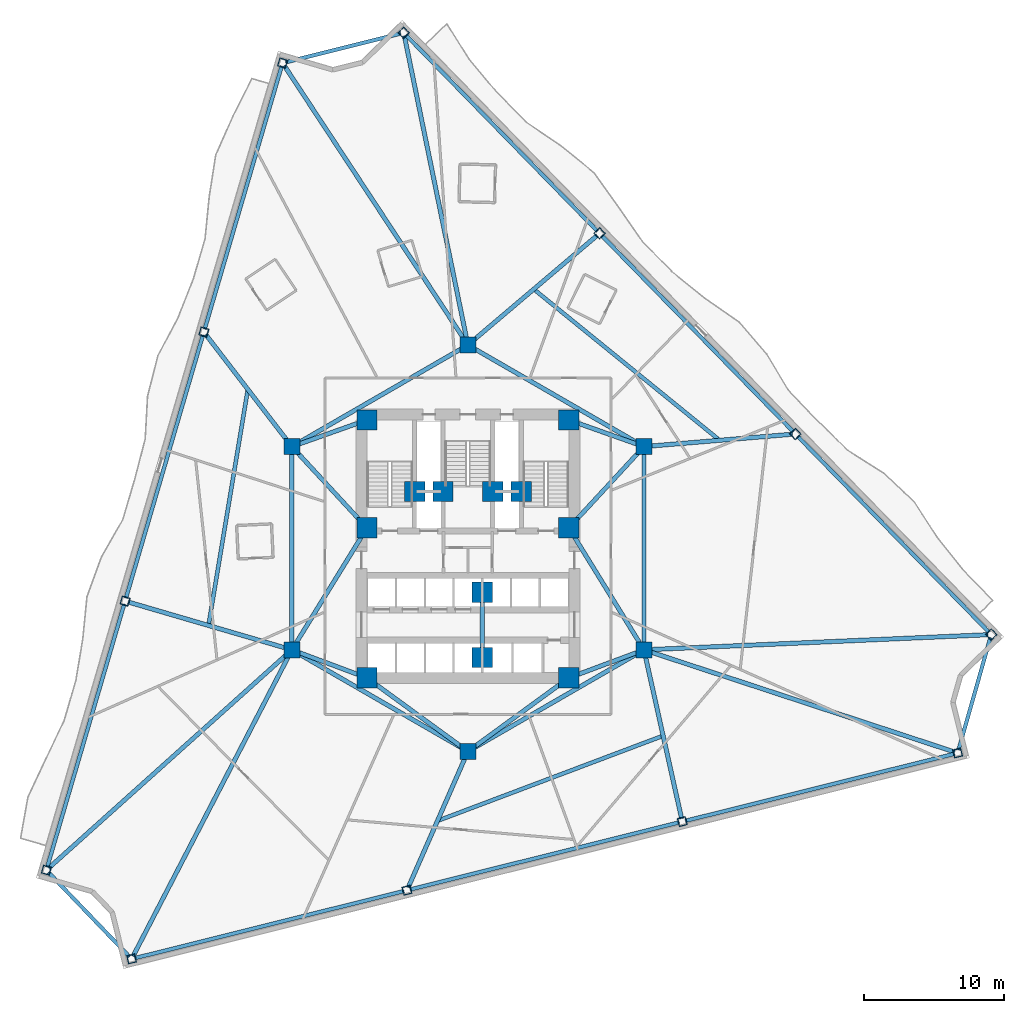
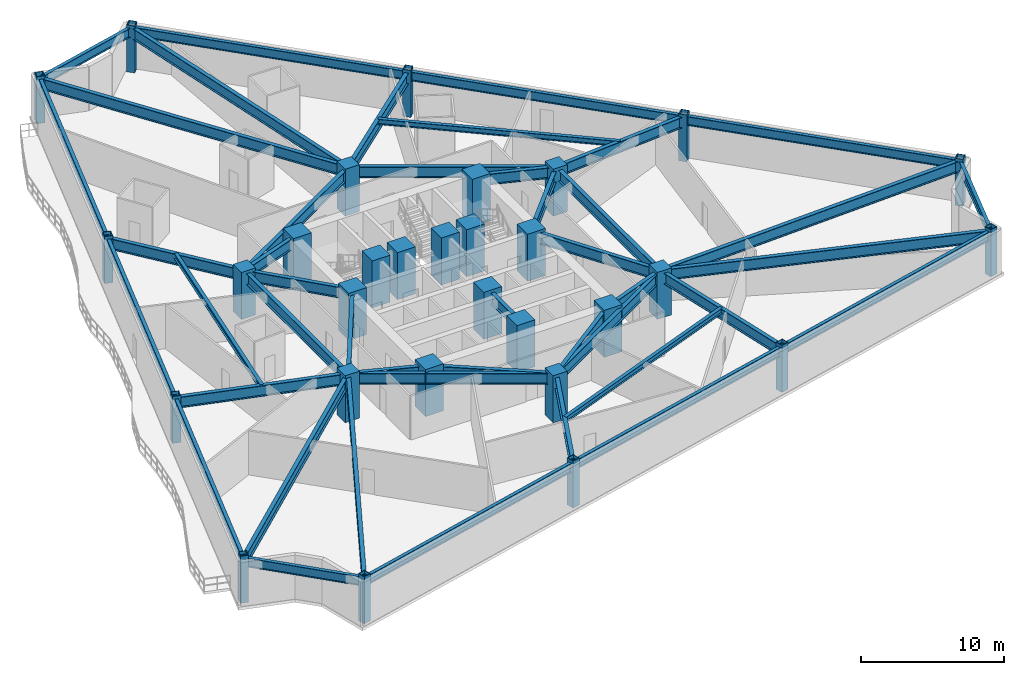
# One storey, part 1 of 9: 44 beams, 30 columns.
"""IFC4 building model written with IfcOpenShell, lengths in metres."""

from ifc_helpers import new_model, si_unit, direction, frame, origin, origin_2d, place, context, subcontext, project, spatial, rectangle, hollow_rectangle, i_section, extrude, material, material_profile, profile_set, type_object, element, save


model = new_model("IFC4")

# Units and contexts
model_context = context("Model", 3, precision=1e-05, world=origin(), true_north=direction((0.0, 1.0)))
body_context = subcontext(model_context, "Body", "Model", "MODEL_VIEW")
ifc_project = project(units=[si_unit("LENGTHUNIT", "METRE"), si_unit("AREAUNIT", "SQUARE_METRE"), si_unit("VOLUMEUNIT", "CUBIC_METRE"), si_unit("PLANEANGLEUNIT", "RADIAN"), si_unit("MASSUNIT", "GRAM", prefix="KILO")], contexts=[model_context])

# Site, building, storey
site_placement = place(None, origin())
site = spatial("IfcSite", under=ifc_project, at=site_placement, CompositionType="ELEMENT")
building_placement = place(site_placement, origin())
building = spatial("IfcBuilding", under=site, at=building_placement, Name="Apsidion Concourse Tower", CompositionType="ELEMENT")
storey_placement = place(building_placement, frame((0.0, 0.0, 103.0)))
storey = spatial("IfcBuildingStorey", under=building, at=storey_placement, Name="L23", CompositionType="ELEMENT", Elevation=103.0)

# Columns
ifc_material_1 = material(Name="Structural steel ASTM A572 Grade 50", Category="steel")
ifc_material_profile_1 = material_profile(ifc_material_1, hollow_rectangle(XDim=0.60009765625, YDim=0.60009765625, WallThickness=0.0400390625, at=origin_2d()), Name="BOX600X600X40")
ifc_profile_set_1 = profile_set([ifc_material_profile_1], Name="Structural steel ASTM A572 Grade 50")
column_type_1 = type_object("IfcColumnType", Name="COL-BOX-600", PredefinedType="COLUMN", material=ifc_profile_set_1)
for number, where, z_axis, x_axis, name in (
    (1, (-13.221435546875, 34.61669921875, 0.0), (0.0, 0.0, 1.0), (0.28083422227, 0.959756291775, 0.0), "L23 Rotated Perimeter Column PC01"),
    (2, (-18.839111328125, 15.422119140625, 0.0), (0.0, 0.0, 1.0), (0.28083422227, 0.959756291775, 0.0), "L23 Rotated Perimeter Column PC02"),
    (3, (-24.45703125, -3.772705078125, 0.0), (0.0, 0.0, 1.0), (0.28083422227, 0.959756291775, 0.0), "L23 Rotated Perimeter Column PC03"),
    (4, (-30.074951171875, -22.96728515625, 0.0), (0.0, 0.0, 1.0), (0.28083422227, 0.959756291775, 0.0), "L23 Rotated Perimeter Column PC04"),
    (5, (-23.9912109375, -29.302001953125, 0.0), (0.0, 0.0, 1.0), (0.970295726276, 0.2419218956, 0.0), "L23 Rotated Perimeter Column PC05"),
    (6, (-4.34765625, -24.404296875, 0.0), (0.0, 0.0, 1.0), (0.970295726276, 0.2419218956, 0.0), "L23 Rotated Perimeter Column PC06"),
    (7, (15.2958984375, -19.506591796875, 0.0), (0.0, 0.0, 1.0), (0.970295726276, 0.2419218956, 0.0), "L23 Rotated Perimeter Column PC07"),
    (8, (34.939208984375, -14.60888671875, 0.0), (0.0, 0.0, 1.0), (0.970295726276, 0.2419218956, 0.0), "L23 Rotated Perimeter Column PC08"),
    (9, (37.337158203125, -6.15966796875, 0.0), (0.0, 0.0, 1.0), (-0.698540186739, 0.715570826341, 0.0), "L23 Rotated Perimeter Column PC09"),
    (10, (23.365478515625, 8.15087890625, 0.0), (0.0, 0.0, 1.0), (-0.698540186739, 0.715570826341, 0.0), "L23 Rotated Perimeter Column PC10"),
    (11, (9.393798828125, 22.461181640625, 0.0), (0.0, 0.0, 1.0), (-0.698540186739, 0.715570826341, 0.0), "L23 Rotated Perimeter Column PC11"),
    (12, (-4.57763671875, 36.771728515625, 0.0), (0.0, 0.0, 1.0), (-0.698540186739, 0.715570826341, 0.0), "L23 Rotated Perimeter Column PC12"),
):
    element("IfcColumn", number, at=place(storey_placement, frame(where, z_axis=z_axis, x_axis=x_axis)), inside=storey, type_object=column_type_1, Name=name, PredefinedType="COLUMN", context=body_context, shape_type="SweptSolid", body=[
        extrude(hollow_rectangle(XDim=0.60009765625, YDim=0.60009765625, WallThickness=0.0400390625, at=origin_2d()), origin(), (0.0, 0.0, 1.0), 4.0),
    ])
ifc_material_2 = material(Name="Concrete C50/60", Category="concrete")
ifc_material_profile_2 = material_profile(ifc_material_2, rectangle(XDim=1.14990234375, YDim=1.14990234375, at=origin_2d()), Name="RC 1150x1150")
ifc_profile_set_2 = profile_set([ifc_material_profile_2], Name="Concrete C50/60")
column_type_2 = type_object("IfcColumnType", Name="COL-RC-1150", PredefinedType="COLUMN", material=ifc_profile_set_2)
for number, where, z_axis, x_axis, name in (
    (13, (-12.56005859375, -7.25, 0.0), (0.0, 0.0, 1.0), (1.0, 0.0, 0.0), "L23 Interior Spine Column IC1"),
    (14, (12.56005859375, -7.25, 0.0), (0.0, 0.0, 1.0), (1.0, 0.0, 0.0), "L23 Interior Spine Column IC2"),
    (15, (12.56005859375, 7.25, 0.0), (0.0, 0.0, 1.0), (1.0, 0.0, 0.0), "L23 Interior Spine Column IC3"),
    (16, (0.0, 14.5, 0.0), (0.0, 0.0, 1.0), (1.0, 0.0, 0.0), "L23 Interior Spine Column IC4"),
    (17, (-12.56005859375, 7.25, 0.0), (0.0, 0.0, 1.0), (1.0, 0.0, 0.0), "L23 Interior Spine Column IC5"),
    (18, (0.0, -14.5, 0.0), (0.0, 0.0, 1.0), (1.0, 0.0, 0.0), "L23 Interior Spine Column IC6"),
):
    element("IfcColumn", number, at=place(storey_placement, frame(where, z_axis=z_axis, x_axis=x_axis)), inside=storey, type_object=column_type_2, Name=name, PredefinedType="COLUMN", context=body_context, shape_type="SweptSolid", body=[
        extrude(rectangle(XDim=1.14990234375, YDim=1.14990234375, at=origin_2d()), origin(), (0.0, 0.0, 1.0), 4.0),
    ])
ifc_material_3 = material(Name="Concrete C60/75", Category="concrete")
ifc_material_profile_3 = material_profile(ifc_material_3, rectangle(XDim=1.449951171875, YDim=1.449951171875, at=origin_2d()), Name="RC 1450x1450")
ifc_profile_set_3 = profile_set([ifc_material_profile_3], Name="Concrete C60/75")
column_type_3 = type_object("IfcColumnType", Name="COL-RC-1450", PredefinedType="COLUMN", material=ifc_profile_set_3)
for number, where, z_axis, x_axis, name in (
    (19, (-7.199951171875, -9.25, 0.0), (0.0, 0.0, 1.0), (1.0, 0.0, 0.0), "L23 Core Super-Column SC1"),
    (20, (7.199951171875, -9.25, 0.0), (0.0, 0.0, 1.0), (1.0, 0.0, 0.0), "L23 Core Super-Column SC2"),
    (21, (7.199951171875, 1.449951171875, 0.0), (0.0, 0.0, 1.0), (1.0, 0.0, 0.0), "L23 Core Super-Column SC3"),
    (22, (7.199951171875, 9.14990234375, 0.0), (0.0, 0.0, 1.0), (1.0, 0.0, 0.0), "L23 Core Super-Column SC4"),
    (23, (-7.199951171875, 9.14990234375, 0.0), (0.0, 0.0, 1.0), (1.0, 0.0, 0.0), "L23 Core Super-Column SC5"),
    (24, (-7.199951171875, 1.449951171875, 0.0), (0.0, 0.0, 1.0), (1.0, 0.0, 0.0), "L23 Core Super-Column SC6"),
    (25, (-3.800048828125, 4.050048828125, 0.0), (0.0, 0.0, 1.0), (1.0, 0.0, 0.0), "L23 Core Super-Column CC1"),
    (26, (3.800048828125, 4.050048828125, 0.0), (0.0, 0.0, 1.0), (1.0, 0.0, 0.0), "L23 Core Super-Column CC2"),
    (27, (-1.77490234375, 4.050048828125, 0.0), (0.0, 0.0, 1.0), (1.0, 0.0, 0.0), "L23 Core Super-Column CC3"),
    (28, (1.77490234375, 4.050048828125, 0.0), (0.0, 0.0, 1.0), (1.0, 0.0, 0.0), "L23 Core Super-Column CC4"),
    (29, (1.02490234375, -3.14990234375, 0.0), (0.0, 0.0, 1.0), (1.0, 0.0, 0.0), "L23 Core Super-Column CC5"),
    (30, (1.02490234375, -7.800048828125, 0.0), (0.0, 0.0, 1.0), (1.0, 0.0, 0.0), "L23 Core Super-Column CC6"),
):
    element("IfcColumn", number, at=place(storey_placement, frame(where, z_axis=z_axis, x_axis=x_axis)), inside=storey, type_object=column_type_3, Name=name, PredefinedType="COLUMN", context=body_context, shape_type="SweptSolid", body=[
        extrude(rectangle(XDim=1.449951171875, YDim=1.449951171875, at=origin_2d()), origin(), (0.0, 0.0, 1.0), 4.0),
    ])

# Beams
ifc_material_4 = material(Name="Structural steel ASTM A992 Grade 50", Category="steel")
ifc_material_profile_4 = material_profile(ifc_material_4, i_section(OverallWidth=0.280029296875, OverallDepth=0.462890625, WebThickness=0.0107421875, FlangeThickness=0.017333984375, at=origin_2d()), Name="W18X76")
ifc_profile_set_4 = profile_set([ifc_material_profile_4], Name="Structural steel ASTM A992 Grade 50")
beam_type_1 = type_object("IfcBeamType", Name="BM-FL-W18M", PredefinedType="BEAM", material=ifc_profile_set_4)
beam_1_placement = place(storey_placement, frame((-15.69970703125, 11.3359375, 3.5185546875), z_axis=(-0.164452299767, -0.986385036941, 0.0), x_axis=(0.986385036941, -0.164452299767, 0.0)))
element("IfcBeam", 31, at=beam_1_placement, inside=storey, type_object=beam_type_1, Name="L23 Secondary Floor Beam SEC-F1", PredefinedType="BEAM", context=body_context, shape_type="SweptSolid", body=[
    extrude(i_section(OverallWidth=0.280029296875, OverallDepth=0.462890625, WebThickness=0.0107421875, FlangeThickness=0.017333984375, at=origin_2d()), origin(), (0.0, 0.0, 1.0), 17.079833984375),
])
beam_2_placement = place(storey_placement, frame((-2.173828125, -19.4521484375, 3.5185546875), z_axis=(0.935648218448, 0.352934004193, 0.0), x_axis=(-0.352934004193, 0.935648218448, 0.0)))
element("IfcBeam", 32, at=beam_2_placement, inside=storey, type_object=beam_type_1, Name="L23 Secondary Floor Beam SEC-F2", PredefinedType="BEAM", context=body_context, shape_type="SweptSolid", body=[
    extrude(i_section(OverallWidth=0.280029296875, OverallDepth=0.462890625, WebThickness=0.0107421875, FlangeThickness=0.017333984375, at=origin_2d()), origin(), (0.0, 0.0, 1.0), 17.209228515625),
])
beam_3_placement = place(storey_placement, frame((17.962646484375, 7.700439453125, 3.5185546875), z_axis=(-0.776058076577, 0.630661447831, 0.0), x_axis=(-0.630661447831, -0.776058076577, 0.0)))
element("IfcBeam", 33, at=beam_3_placement, inside=storey, type_object=beam_type_1, Name="L23 Secondary Floor Beam SEC-F3", PredefinedType="BEAM", context=body_context, shape_type="SweptSolid", body=[
    extrude(i_section(OverallWidth=0.280029296875, OverallDepth=0.462890625, WebThickness=0.0107421875, FlangeThickness=0.017333984375, at=origin_2d()), origin(), (0.0, 0.0, 1.0), 17.093505859375),
])
ifc_material_profile_5 = material_profile(ifc_material_4, i_section(OverallWidth=0.31005859375, OverallDepth=0.931884765625, WebThickness=0.02099609375, FlangeThickness=0.034423828125, at=origin_2d()), Name="W36X210")
ifc_profile_set_5 = profile_set([ifc_material_profile_5], Name="Structural steel ASTM A992 Grade 50")
beam_type_2 = type_object("IfcBeamType", Name="BM-G-W36", PredefinedType="USERDEFINED", material=ifc_profile_set_5)
beam_4_placement = place(storey_placement, frame((-12.185302734375, -7.389892578125, 3.283935546875), z_axis=(0.936913021145, -0.349562570664, 0.0), x_axis=(0.349562570664, 0.936913021145, 0.0)))
element("IfcBeam", 34, at=beam_4_placement, inside=storey, type_object=beam_type_2, Name="L23 Core Coupling Girder IC1-SC1", ObjectType="GIRDER", PredefinedType="USERDEFINED", context=body_context, shape_type="SweptSolid", body=[
    extrude(i_section(OverallWidth=0.31005859375, OverallDepth=0.931884765625, WebThickness=0.02099609375, FlangeThickness=0.034423828125, at=origin_2d()), origin(), (0.0, 0.0, 1.0), 4.921142578125),
])
beam_5_placement = place(storey_placement, frame((-12.35009765625, -6.909423828125, 3.283935546875), z_axis=(0.524524009763, 0.851395656074, 0.0), x_axis=(-0.851395656074, 0.524524009763, 0.0)))
element("IfcBeam", 35, at=beam_5_placement, inside=storey, type_object=beam_type_2, Name="L23 Core Coupling Girder IC1-SC6", ObjectType="GIRDER", PredefinedType="USERDEFINED", context=body_context, shape_type="SweptSolid", body=[
    extrude(i_section(OverallWidth=0.31005859375, OverallDepth=0.931884765625, WebThickness=0.02099609375, FlangeThickness=0.034423828125, at=origin_2d()), origin(), (0.0, 0.0, 1.0), 9.41845703125),
])
beam_6_placement = place(storey_placement, frame((12.185302734375, -7.389892578125, 3.283935546875), z_axis=(-0.936913021145, -0.349562570664, 0.0), x_axis=(0.349562570664, -0.936913021145, 0.0)))
element("IfcBeam", 36, at=beam_6_placement, inside=storey, type_object=beam_type_2, Name="L23 Core Coupling Girder IC2-SC2", ObjectType="GIRDER", PredefinedType="USERDEFINED", context=body_context, shape_type="SweptSolid", body=[
    extrude(i_section(OverallWidth=0.31005859375, OverallDepth=0.931884765625, WebThickness=0.02099609375, FlangeThickness=0.034423828125, at=origin_2d()), origin(), (0.0, 0.0, 1.0), 4.921142578125),
])
beam_7_placement = place(storey_placement, frame((12.35009765625, -6.909423828125, 3.283935546875), z_axis=(-0.524524009763, 0.851395656074, 0.0), x_axis=(-0.851395656074, -0.524524009763, 0.0)))
element("IfcBeam", 37, at=beam_7_placement, inside=storey, type_object=beam_type_2, Name="L23 Core Coupling Girder IC2-SC3", ObjectType="GIRDER", PredefinedType="USERDEFINED", context=body_context, shape_type="SweptSolid", body=[
    extrude(i_section(OverallWidth=0.31005859375, OverallDepth=0.931884765625, WebThickness=0.02099609375, FlangeThickness=0.034423828125, at=origin_2d()), origin(), (0.0, 0.0, 1.0), 9.41845703125),
])
beam_8_placement = place(storey_placement, frame((12.28857421875, 6.956298828125, 3.283935546875), z_axis=(-0.678712876106, -0.73440372535, 0.0), x_axis=(0.73440372535, -0.678712876106, 0.0)))
element("IfcBeam", 38, at=beam_8_placement, inside=storey, type_object=beam_type_2, Name="L23 Core Coupling Girder IC3-SC3", ObjectType="GIRDER", PredefinedType="USERDEFINED", context=body_context, shape_type="SweptSolid", body=[
    extrude(i_section(OverallWidth=0.31005859375, OverallDepth=0.931884765625, WebThickness=0.02099609375, FlangeThickness=0.034423828125, at=origin_2d()), origin(), (0.0, 0.0, 1.0), 7.097412109375),
])
beam_9_placement = place(storey_placement, frame((12.18310546875, 7.383544921875, 3.283935546875), z_axis=(-0.942533844539, 0.334110688094, 0.0), x_axis=(-0.334110688094, -0.942533844539, 0.0)))
element("IfcBeam", 39, at=beam_9_placement, inside=storey, type_object=beam_type_2, Name="L23 Core Coupling Girder IC3-SC4", ObjectType="GIRDER", PredefinedType="USERDEFINED", context=body_context, shape_type="SweptSolid", body=[
    extrude(i_section(OverallWidth=0.31005859375, OverallDepth=0.931884765625, WebThickness=0.02099609375, FlangeThickness=0.034423828125, at=origin_2d()), origin(), (0.0, 0.0, 1.0), 4.886962890625),
])
beam_10_placement = place(storey_placement, frame((-12.28857421875, 6.956298828125, 3.283935546875), z_axis=(0.678712876106, -0.73440372535, 0.0), x_axis=(0.73440372535, 0.678712876106, 0.0)))
element("IfcBeam", 40, at=beam_10_placement, inside=storey, type_object=beam_type_2, Name="L23 Core Coupling Girder IC5-SC6", ObjectType="GIRDER", PredefinedType="USERDEFINED", context=body_context, shape_type="SweptSolid", body=[
    extrude(i_section(OverallWidth=0.31005859375, OverallDepth=0.931884765625, WebThickness=0.02099609375, FlangeThickness=0.034423828125, at=origin_2d()), origin(), (0.0, 0.0, 1.0), 7.097412109375),
])
beam_11_placement = place(storey_placement, frame((-12.18310546875, 7.383544921875, 3.283935546875), z_axis=(0.942533844539, 0.334110688094, 0.0), x_axis=(-0.334110688094, 0.942533844539, 0.0)))
element("IfcBeam", 41, at=beam_11_placement, inside=storey, type_object=beam_type_2, Name="L23 Core Coupling Girder IC5-SC5", ObjectType="GIRDER", PredefinedType="USERDEFINED", context=body_context, shape_type="SweptSolid", body=[
    extrude(i_section(OverallWidth=0.31005859375, OverallDepth=0.931884765625, WebThickness=0.02099609375, FlangeThickness=0.034423828125, at=origin_2d()), origin(), (0.0, 0.0, 1.0), 4.886962890625),
])
for number, where, z_axis, x_axis, name in (
    (42, (-0.3232421875, -14.264404296875, 3.283935546875), (-0.807993498909, 0.589191399905, 0.0), (-0.589191399905, -0.807993498909, 0.0), "L23 Core Coupling Girder IC6-SC1"),
    (43, (0.3232421875, -14.264404296875, 3.283935546875), (0.807993498909, 0.589191399905, 0.0), (-0.589191399905, 0.807993498909, 0.0), "L23 Core Coupling Girder IC6-SC2"),
):
    element("IfcBeam", number, at=place(storey_placement, frame(where, z_axis=z_axis, x_axis=x_axis)), inside=storey, type_object=beam_type_2, Name=name, ObjectType="GIRDER", PredefinedType="USERDEFINED", context=body_context, shape_type="SweptSolid", body=[
        extrude(i_section(OverallWidth=0.31005859375, OverallDepth=0.931884765625, WebThickness=0.02099609375, FlangeThickness=0.034423828125, at=origin_2d()), origin(), (0.0, 0.0, 1.0), 8.11083984375),
    ])
beam_12_placement = place(storey_placement, frame((-12.56005859375, -6.85009765625, 3.283935546875), z_axis=(0.0, 1.0, 0.0), x_axis=(-1.0, 0.0, 0.0)))
element("IfcBeam", 44, at=beam_12_placement, inside=storey, type_object=beam_type_2, Name="L23 Core Coupling Girder IC1-IC5", ObjectType="GIRDER", PredefinedType="USERDEFINED", context=body_context, shape_type="SweptSolid", body=[
    extrude(i_section(OverallWidth=0.31005859375, OverallDepth=0.931884765625, WebThickness=0.02099609375, FlangeThickness=0.034423828125, at=origin_2d()), origin(), (0.0, 0.0, 1.0), 13.7001953125),
])
for number, where, z_axis, x_axis, name in (
    (45, (-12.213623046875, 7.449951171875, 3.283935546875), (0.866070471464, 0.499921932364, 0.0), (-0.499921932364, 0.866070471464, 0.0), "L23 Core Coupling Girder IC5-IC4"),
    (46, (0.346435546875, 14.300048828125, 3.283935546875), (0.866070471464, -0.499921932364, 0.0), (0.499921932364, 0.866070471464, 0.0), "L23 Core Coupling Girder IC4-IC3"),
):
    element("IfcBeam", number, at=place(storey_placement, frame(where, z_axis=z_axis, x_axis=x_axis)), inside=storey, type_object=beam_type_2, Name=name, ObjectType="GIRDER", PredefinedType="USERDEFINED", context=body_context, shape_type="SweptSolid", body=[
        extrude(i_section(OverallWidth=0.31005859375, OverallDepth=0.931884765625, WebThickness=0.02099609375, FlangeThickness=0.034423828125, at=origin_2d()), origin(), (0.0, 0.0, 1.0), 13.702392578125),
    ])
beam_13_placement = place(storey_placement, frame((12.56005859375, 6.85009765625, 3.283935546875), z_axis=(0.0, -1.0, 0.0), x_axis=(1.0, 0.0, 0.0)))
element("IfcBeam", 47, at=beam_13_placement, inside=storey, type_object=beam_type_2, Name="L23 Core Coupling Girder IC3-IC2", ObjectType="GIRDER", PredefinedType="USERDEFINED", context=body_context, shape_type="SweptSolid", body=[
    extrude(i_section(OverallWidth=0.31005859375, OverallDepth=0.931884765625, WebThickness=0.02099609375, FlangeThickness=0.034423828125, at=origin_2d()), origin(), (0.0, 0.0, 1.0), 13.7001953125),
])
for number, where, z_axis, x_axis, name in (
    (48, (12.213623046875, -7.449951171875, 3.283935546875), (-0.866070471464, -0.499921932364, 0.0), (0.499921932364, -0.866070471464, 0.0), "L23 Core Coupling Girder IC2-IC6"),
    (49, (-0.346435546875, -14.300048828125, 3.283935546875), (-0.866070471464, 0.499921932364, 0.0), (-0.499921932364, -0.866070471464, 0.0), "L23 Core Coupling Girder IC6-IC1"),
):
    element("IfcBeam", number, at=place(storey_placement, frame(where, z_axis=z_axis, x_axis=x_axis)), inside=storey, type_object=beam_type_2, Name=name, ObjectType="GIRDER", PredefinedType="USERDEFINED", context=body_context, shape_type="SweptSolid", body=[
        extrude(i_section(OverallWidth=0.31005859375, OverallDepth=0.931884765625, WebThickness=0.02099609375, FlangeThickness=0.034423828125, at=origin_2d()), origin(), (0.0, 0.0, 1.0), 13.702392578125),
    ])
beam_14_placement = place(storey_placement, frame((1.02490234375, -3.550048828125, 3.283935546875), z_axis=(0.0, -1.0, 0.0), x_axis=(1.0, 0.0, 0.0)))
element("IfcBeam", 50, at=beam_14_placement, inside=storey, type_object=beam_type_2, Name="L23 Core Coupling Girder CC5-CC6", ObjectType="GIRDER", PredefinedType="USERDEFINED", context=body_context, shape_type="SweptSolid", body=[
    extrude(i_section(OverallWidth=0.31005859375, OverallDepth=0.931884765625, WebThickness=0.02099609375, FlangeThickness=0.034423828125, at=origin_2d()), origin(), (0.0, 0.0, 1.0), 3.849853515625),
])
beam_15_placement = place(storey_placement, frame((-0.120849609375, 14.683837890625, 3.283935546875), z_axis=(-0.549231276492, 0.835670392513, 0.0), x_axis=(-0.835670392513, -0.549231276492, 0.0)))
element("IfcBeam", 51, at=beam_15_placement, inside=storey, type_object=beam_type_2, Name="L23 Radial Floor Girder RAD-01", ObjectType="GIRDER", PredefinedType="USERDEFINED", context=body_context, shape_type="SweptSolid", body=[
    extrude(i_section(OverallWidth=0.31005859375, OverallDepth=0.931884765625, WebThickness=0.02099609375, FlangeThickness=0.034423828125, at=origin_2d()), origin(), (0.0, 0.0, 1.0), 23.632568359375),
])
beam_16_placement = place(storey_placement, frame((-12.694091796875, 7.42431640625, 3.283935546875), z_axis=(-0.609271770486, 0.792961480583, 0.0), x_axis=(-0.792961480583, -0.609271770486, 0.0)))
element("IfcBeam", 52, at=beam_16_placement, inside=storey, type_object=beam_type_2, Name="L23 Radial Floor Girder RAD-02", ObjectType="GIRDER", PredefinedType="USERDEFINED", context=body_context, shape_type="SweptSolid", body=[
    extrude(i_section(OverallWidth=0.31005859375, OverallDepth=0.931884765625, WebThickness=0.02099609375, FlangeThickness=0.034423828125, at=origin_2d()), origin(), (0.0, 0.0, 1.0), 9.865966796875),
])
beam_17_placement = place(storey_placement, frame((-12.771240234375, -7.188232421875, 3.283935546875), z_axis=(-0.959842483231, 0.28053949345, 0.0), x_axis=(-0.28053949345, -0.959842483231, 0.0)))
element("IfcBeam", 53, at=beam_17_placement, inside=storey, type_object=beam_type_2, Name="L23 Radial Floor Girder RAD-03", ObjectType="GIRDER", PredefinedType="USERDEFINED", context=body_context, shape_type="SweptSolid", body=[
    extrude(i_section(OverallWidth=0.31005859375, OverallDepth=0.931884765625, WebThickness=0.02099609375, FlangeThickness=0.034423828125, at=origin_2d()), origin(), (0.0, 0.0, 1.0), 11.95458984375),
])
beam_18_placement = place(storey_placement, frame((-12.7236328125, -7.39697265625, 3.283935546875), z_axis=(-0.744271119318, -0.667877609259, 0.0), x_axis=(0.667877609259, -0.744271119318, 0.0)))
element("IfcBeam", 54, at=beam_18_placement, inside=storey, type_object=beam_type_2, Name="L23 Radial Floor Girder RAD-04", ObjectType="GIRDER", PredefinedType="USERDEFINED", context=body_context, shape_type="SweptSolid", body=[
    extrude(i_section(OverallWidth=0.31005859375, OverallDepth=0.931884765625, WebThickness=0.02099609375, FlangeThickness=0.034423828125, at=origin_2d()), origin(), (0.0, 0.0, 1.0), 23.093017578125),
])
beam_19_placement = place(storey_placement, frame((-12.6611328125, -7.4453125, 3.283935546875), z_axis=(-0.460218148247, -0.88780586618, 0.0), x_axis=(0.88780586618, -0.460218148247, 0.0)))
element("IfcBeam", 55, at=beam_19_placement, inside=storey, type_object=beam_type_2, Name="L23 Radial Floor Girder RAD-05", ObjectType="GIRDER", PredefinedType="USERDEFINED", context=body_context, shape_type="SweptSolid", body=[
    extrude(i_section(OverallWidth=0.31005859375, OverallDepth=0.931884765625, WebThickness=0.02099609375, FlangeThickness=0.034423828125, at=origin_2d()), origin(), (0.0, 0.0, 1.0), 24.398681640625),
])
beam_20_placement = place(storey_placement, frame((-0.08837890625, -14.701416015625, 3.283935546875), z_axis=(-0.401951572059, -0.915660927265, 0.0), x_axis=(0.915660927265, -0.401951572059, 0.0)))
element("IfcBeam", 56, at=beam_20_placement, inside=storey, type_object=beam_type_2, Name="L23 Radial Floor Girder RAD-06", ObjectType="GIRDER", PredefinedType="USERDEFINED", context=body_context, shape_type="SweptSolid", body=[
    extrude(i_section(OverallWidth=0.31005859375, OverallDepth=0.931884765625, WebThickness=0.02099609375, FlangeThickness=0.034423828125, at=origin_2d()), origin(), (0.0, 0.0, 1.0), 10.376708984375),
])
beam_21_placement = place(storey_placement, frame((12.60791015625, -7.464599609375, 3.283935546875), z_axis=(0.217841210103, -0.975984224863, 0.0), x_axis=(0.975984224863, 0.217841210103, 0.0)))
element("IfcBeam", 57, at=beam_21_placement, inside=storey, type_object=beam_type_2, Name="L23 Radial Floor Girder RAD-07", ObjectType="GIRDER", PredefinedType="USERDEFINED", context=body_context, shape_type="SweptSolid", body=[
    extrude(i_section(OverallWidth=0.31005859375, OverallDepth=0.931884765625, WebThickness=0.02099609375, FlangeThickness=0.034423828125, at=origin_2d()), origin(), (0.0, 0.0, 1.0), 12.118408203125),
])
beam_22_placement = place(storey_placement, frame((12.76904296875, -7.318603515625, 3.283935546875), z_axis=(0.949956513511, -0.312382173687, 0.0), x_axis=(0.312382173687, 0.949956513511, 0.0)))
element("IfcBeam", 58, at=beam_22_placement, inside=storey, type_object=beam_type_2, Name="L23 Radial Floor Girder RAD-08", ObjectType="GIRDER", PredefinedType="USERDEFINED", context=body_context, shape_type="SweptSolid", body=[
    extrude(i_section(OverallWidth=0.31005859375, OverallDepth=0.931884765625, WebThickness=0.02099609375, FlangeThickness=0.034423828125, at=origin_2d()), origin(), (0.0, 0.0, 1.0), 23.1181640625),
])
beam_23_placement = place(storey_placement, frame((12.77978515625, -7.240234375, 3.283935546875), z_axis=(0.999033044111, 0.043965631729, 0.0), x_axis=(-0.043965631729, 0.999033044111, 0.0)))
element("IfcBeam", 59, at=beam_23_placement, inside=storey, type_object=beam_type_2, Name="L23 Radial Floor Girder RAD-09", ObjectType="GIRDER", PredefinedType="USERDEFINED", context=body_context, shape_type="SweptSolid", body=[
    extrude(i_section(OverallWidth=0.31005859375, OverallDepth=0.931884765625, WebThickness=0.02099609375, FlangeThickness=0.034423828125, at=origin_2d()), origin(), (0.0, 0.0, 1.0), 24.36083984375),
])
beam_24_placement = place(storey_placement, frame((12.779296875, 7.268310546875, 3.283935546875), z_axis=(0.996543006218, 0.083078497563, 0.0), x_axis=(-0.083078497563, 0.996543006218, 0.0)))
element("IfcBeam", 60, at=beam_24_placement, inside=storey, type_object=beam_type_2, Name="L23 Radial Floor Girder RAD-10", ObjectType="GIRDER", PredefinedType="USERDEFINED", context=body_context, shape_type="SweptSolid", body=[
    extrude(i_section(OverallWidth=0.31005859375, OverallDepth=0.931884765625, WebThickness=0.02099609375, FlangeThickness=0.034423828125, at=origin_2d()), origin(), (0.0, 0.0, 1.0), 10.40283203125),
])
beam_25_placement = place(storey_placement, frame((0.167724609375, 14.64208984375, 3.283935546875), z_axis=(0.762877552184, 0.646542991899, 0.0), x_axis=(-0.646542991899, 0.762877552184, 0.0)))
element("IfcBeam", 61, at=beam_25_placement, inside=storey, type_object=beam_type_2, Name="L23 Radial Floor Girder RAD-11", ObjectType="GIRDER", PredefinedType="USERDEFINED", context=body_context, shape_type="SweptSolid", body=[
    extrude(i_section(OverallWidth=0.31005859375, OverallDepth=0.931884765625, WebThickness=0.02099609375, FlangeThickness=0.034423828125, at=origin_2d()), origin(), (0.0, 0.0, 1.0), 11.8740234375),
])
beam_26_placement = place(storey_placement, frame((-0.044189453125, 14.715576171875, 3.283935546875), z_axis=(-0.201337476768, 0.979521934644, 0.0), x_axis=(-0.979521934644, -0.201337476768, 0.0)))
element("IfcBeam", 62, at=beam_26_placement, inside=storey, type_object=beam_type_2, Name="L23 Radial Floor Girder RAD-12", ObjectType="GIRDER", PredefinedType="USERDEFINED", context=body_context, shape_type="SweptSolid", body=[
    extrude(i_section(OverallWidth=0.31005859375, OverallDepth=0.931884765625, WebThickness=0.02099609375, FlangeThickness=0.034423828125, at=origin_2d()), origin(), (0.0, 0.0, 1.0), 22.297119140625),
])
ifc_material_profile_6 = material_profile(ifc_material_4, i_section(OverallWidth=0.26806640625, OverallDepth=0.77001953125, WebThickness=0.015625, FlangeThickness=0.025390625, at=origin_2d()), Name="W30X132")
ifc_profile_set_6 = profile_set([ifc_material_profile_6], Name="Structural steel ASTM A992 Grade 50")
beam_type_3 = type_object("IfcBeamType", Name="BM-SP-W30", PredefinedType="SPANDREL", material=ifc_profile_set_6)
beam_27_placement = place(storey_placement, frame((-13.283203125, 34.405517578125, 3.364990234375), z_axis=(-0.280887536845, -0.959740689793, 0.0), x_axis=(0.959740689793, -0.280887536845, 0.0)))
element("IfcBeam", 63, at=beam_27_placement, inside=storey, type_object=beam_type_3, Name="L23 Perimeter Spandrel Girder SP-01", PredefinedType="SPANDREL", context=body_context, shape_type="SweptSolid", body=[
    extrude(i_section(OverallWidth=0.26806640625, OverallDepth=0.77001953125, WebThickness=0.015625, FlangeThickness=0.025390625, at=origin_2d()), origin(), (0.0, 0.0, 1.0), 19.559814453125),
])
beam_28_placement = place(storey_placement, frame((-18.90087890625, 15.2109375, 3.364990234375), z_axis=(-0.28089903368, -0.959737324937, 0.0), x_axis=(0.959737324937, -0.28089903368, 0.0)))
element("IfcBeam", 64, at=beam_28_placement, inside=storey, type_object=beam_type_3, Name="L23 Perimeter Spandrel Girder SP-02", PredefinedType="SPANDREL", context=body_context, shape_type="SweptSolid", body=[
    extrude(i_section(OverallWidth=0.26806640625, OverallDepth=0.77001953125, WebThickness=0.015625, FlangeThickness=0.025390625, at=origin_2d()), origin(), (0.0, 0.0, 1.0), 19.56005859375),
])
beam_29_placement = place(storey_placement, frame((-24.518798828125, -3.98388671875, 3.364990234375), z_axis=(-0.280902398632, -0.959736340066, 0.0), x_axis=(0.959736340066, -0.280902398632, 0.0)))
element("IfcBeam", 65, at=beam_29_placement, inside=storey, type_object=beam_type_3, Name="L23 Perimeter Spandrel Girder SP-03", PredefinedType="SPANDREL", context=body_context, shape_type="SweptSolid", body=[
    extrude(i_section(OverallWidth=0.26806640625, OverallDepth=0.77001953125, WebThickness=0.015625, FlangeThickness=0.025390625, at=origin_2d()), origin(), (0.0, 0.0, 1.0), 19.559814453125),
])
beam_30_placement = place(storey_placement, frame((-29.922607421875, -23.1259765625, 3.364990234375), z_axis=(0.692682269789, -0.721242866946, 0.0), x_axis=(0.721242866946, 0.692682269789, 0.0)))
element("IfcBeam", 66, at=beam_30_placement, inside=storey, type_object=beam_type_3, Name="L23 Perimeter Spandrel Girder SP-04", PredefinedType="SPANDREL", context=body_context, shape_type="SweptSolid", body=[
    extrude(i_section(OverallWidth=0.26806640625, OverallDepth=0.77001953125, WebThickness=0.015625, FlangeThickness=0.025390625, at=origin_2d()), origin(), (0.0, 0.0, 1.0), 8.343017578125),
])
beam_31_placement = place(storey_placement, frame((-23.777587890625, -29.248779296875, 3.364990234375), z_axis=(0.970295310837, 0.24192356183, 0.0), x_axis=(-0.24192356183, 0.970295310837, 0.0)))
element("IfcBeam", 67, at=beam_31_placement, inside=storey, type_object=beam_type_3, Name="L23 Perimeter Spandrel Girder SP-05", PredefinedType="SPANDREL", context=body_context, shape_type="SweptSolid", body=[
    extrude(i_section(OverallWidth=0.26806640625, OverallDepth=0.77001953125, WebThickness=0.015625, FlangeThickness=0.025390625, at=origin_2d()), origin(), (0.0, 0.0, 1.0), 19.804931640625),
])
beam_32_placement = place(storey_placement, frame((-4.134033203125, -24.35107421875, 3.364990234375), z_axis=(0.970294589343, 0.241926455544, 0.0), x_axis=(-0.241926455544, 0.970294589343, 0.0)))
element("IfcBeam", 68, at=beam_32_placement, inside=storey, type_object=beam_type_3, Name="L23 Perimeter Spandrel Girder SP-06", PredefinedType="SPANDREL", context=body_context, shape_type="SweptSolid", body=[
    extrude(i_section(OverallWidth=0.26806640625, OverallDepth=0.77001953125, WebThickness=0.015625, FlangeThickness=0.025390625, at=origin_2d()), origin(), (0.0, 0.0, 1.0), 19.8046875),
])
beam_33_placement = place(storey_placement, frame((15.50927734375, -19.453369140625, 3.364990234375), z_axis=(0.970295310837, 0.24192356183, 0.0), x_axis=(-0.24192356183, 0.970295310837, 0.0)))
element("IfcBeam", 69, at=beam_33_placement, inside=storey, type_object=beam_type_3, Name="L23 Perimeter Spandrel Girder SP-07", PredefinedType="SPANDREL", context=body_context, shape_type="SweptSolid", body=[
    extrude(i_section(OverallWidth=0.26806640625, OverallDepth=0.77001953125, WebThickness=0.015625, FlangeThickness=0.025390625, at=origin_2d()), origin(), (0.0, 0.0, 1.0), 19.804931640625),
])
beam_34_placement = place(storey_placement, frame((34.99951171875, -14.397216796875, 3.364990234375), z_axis=(0.272993072399, 0.962015999047, 0.0), x_axis=(-0.962015999047, 0.272993072399, 0.0)))
element("IfcBeam", 70, at=beam_34_placement, inside=storey, type_object=beam_type_3, Name="L23 Perimeter Spandrel Girder SP-08", PredefinedType="SPANDREL", context=body_context, shape_type="SweptSolid", body=[
    extrude(i_section(OverallWidth=0.26806640625, OverallDepth=0.77001953125, WebThickness=0.015625, FlangeThickness=0.025390625, at=origin_2d()), origin(), (0.0, 0.0, 1.0), 8.343017578125),
])
beam_35_placement = place(storey_placement, frame((37.183349609375, -6.002197265625, 3.364990234375), z_axis=(-0.698580853564, 0.715531125133, 0.0), x_axis=(-0.715531125133, -0.698580853564, 0.0)))
element("IfcBeam", 71, at=beam_35_placement, inside=storey, type_object=beam_type_3, Name="L23 Perimeter Spandrel Girder SP-09", PredefinedType="SPANDREL", context=body_context, shape_type="SweptSolid", body=[
    extrude(i_section(OverallWidth=0.26806640625, OverallDepth=0.77001953125, WebThickness=0.015625, FlangeThickness=0.025390625, at=origin_2d()), origin(), (0.0, 0.0, 1.0), 19.559814453125),
])
beam_36_placement = place(storey_placement, frame((23.2119140625, 8.30810546875, 3.364990234375), z_axis=(-0.698581004946, 0.715530977337, 0.0), x_axis=(-0.715530977337, -0.698581004946, 0.0)))
element("IfcBeam", 72, at=beam_36_placement, inside=storey, type_object=beam_type_3, Name="L23 Perimeter Spandrel Girder SP-10", PredefinedType="SPANDREL", context=body_context, shape_type="SweptSolid", body=[
    extrude(i_section(OverallWidth=0.26806640625, OverallDepth=0.77001953125, WebThickness=0.015625, FlangeThickness=0.025390625, at=origin_2d()), origin(), (0.0, 0.0, 1.0), 19.56005859375),
])
beam_37_placement = place(storey_placement, frame((9.240234375, 22.61865234375, 3.364990234375), z_axis=(-0.698587243968, 0.715524886056, 0.0), x_axis=(-0.715524886056, -0.698587243968, 0.0)))
element("IfcBeam", 73, at=beam_37_placement, inside=storey, type_object=beam_type_3, Name="L23 Perimeter Spandrel Girder SP-11", PredefinedType="SPANDREL", context=body_context, shape_type="SweptSolid", body=[
    extrude(i_section(OverallWidth=0.26806640625, OverallDepth=0.77001953125, WebThickness=0.015625, FlangeThickness=0.025390625, at=origin_2d()), origin(), (0.0, 0.0, 1.0), 19.559814453125),
])
beam_38_placement = place(storey_placement, frame((-4.791259765625, 36.718505859375, 3.364990234375), z_axis=(-0.970296632691, -0.241918260137, 0.0), x_axis=(0.241918260137, -0.970296632691, 0.0)))
element("IfcBeam", 74, at=beam_38_placement, inside=storey, type_object=beam_type_3, Name="L23 Perimeter Spandrel Girder SP-12", PredefinedType="SPANDREL", context=body_context, shape_type="SweptSolid", body=[
    extrude(i_section(OverallWidth=0.26806640625, OverallDepth=0.77001953125, WebThickness=0.015625, FlangeThickness=0.025390625, at=origin_2d()), origin(), (0.0, 0.0, 1.0), 8.468017578125),
])

save(model, "model.ifc")
